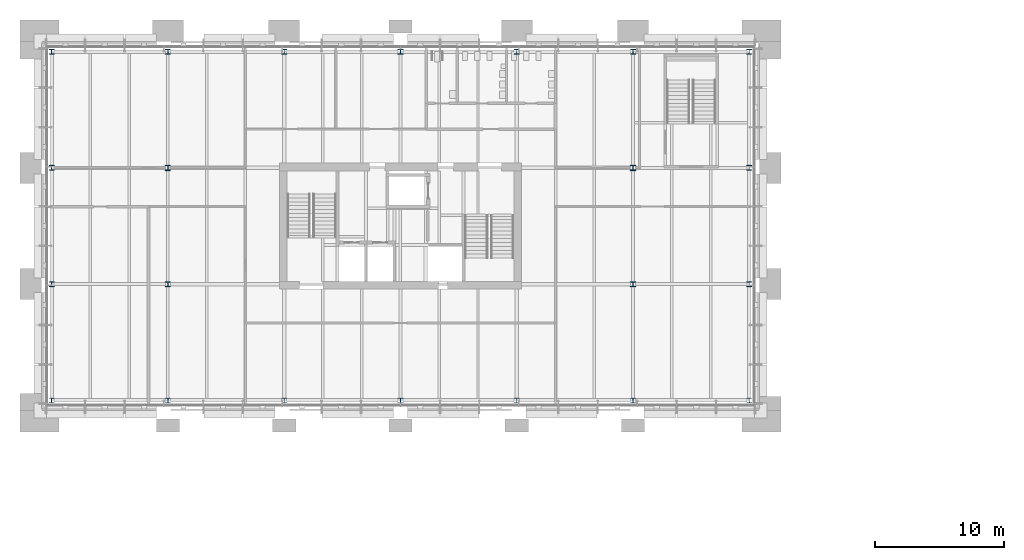
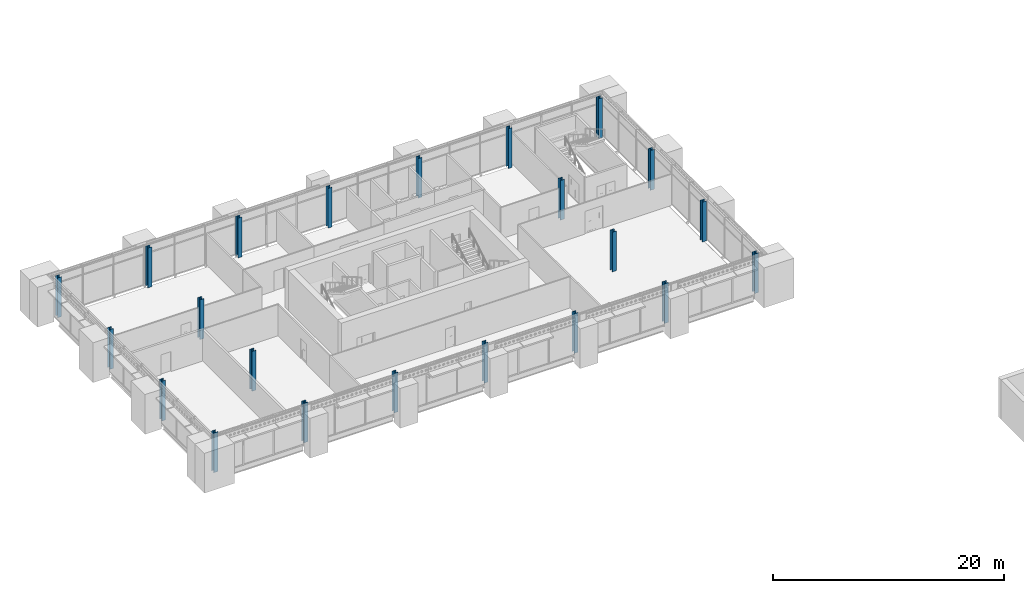
# One storey, part 2 of 54: 22 columns.
"""IFC4 building model written with IfcOpenShell, lengths in metres."""

from ifc_helpers import new_model, si_unit, direction, frame, origin, origin_2d, place, context, subcontext, project, spatial, i_section, extrude, material, material_profile, profile_set, type_object, element, save


model = new_model("IFC4")

# Units and contexts
model_context = context("Model", 3, precision=1e-05, world=origin(), true_north=direction((0.0, 1.0)))
body_context = subcontext(model_context, "Body", "Model", "MODEL_VIEW")
ifc_project = project(units=[si_unit("LENGTHUNIT", "METRE"), si_unit("AREAUNIT", "SQUARE_METRE"), si_unit("VOLUMEUNIT", "CUBIC_METRE"), si_unit("PLANEANGLEUNIT", "RADIAN"), si_unit("MASSUNIT", "GRAM", prefix="KILO")], contexts=[model_context])

# Site, building, storey
site_placement = place(None, origin())
site = spatial("IfcSite", under=ifc_project, at=site_placement, CompositionType="ELEMENT")
building_placement = place(site_placement, origin())
building = spatial("IfcBuilding", under=site, at=building_placement, Name="Baradari Gate Terminus", CompositionType="ELEMENT")
storey_placement = place(building_placement, frame((0.0, 0.0, 15.89990234375)))
storey = spatial("IfcBuildingStorey", under=building, at=storey_placement, Name="L03", CompositionType="ELEMENT", Elevation=15.89990234375)

# Columns
ifc_material_1 = material(Name="Steel S355", Category="steel")
ifc_material_profile_1 = material_profile(ifc_material_1, i_section(OverallWidth=0.403076171875, OverallDepth=0.406494140625, WebThickness=0.026611328125, FlangeThickness=0.04296875, FilletRadius=0.01513671875, at=origin_2d()), Name="UC 356x406x340")
ifc_profile_set_1 = profile_set([ifc_material_profile_1], Name="Steel S355")
column_type_1 = type_object("IfcColumnType", Name="Operations block column C19 UC 356x406x340", PredefinedType="COLUMN", material=ifc_profile_set_1)
for number, where, z_axis, x_axis, name in (
    (1, (18.0, 126.0, 0.0), (0.0, 0.0, 1.0), (1.0, 0.0, 0.0), "C19 column 3-Q L03"),
    (2, (18.0, 135.0, 0.0), (0.0, 0.0, 1.0), (1.0, 0.0, 0.0), "C19 column 3-R L03"),
    (3, (54.0, 126.0, 0.0), (0.0, 0.0, 1.0), (1.0, 0.0, 0.0), "C19 column 7-Q L03"),
    (4, (54.0, 135.0, 0.0), (0.0, 0.0, 1.0), (1.0, 0.0, 0.0), "C19 column 7-R L03"),
):
    element("IfcColumn", number, at=place(storey_placement, frame(where, z_axis=z_axis, x_axis=x_axis)), inside=storey, type_object=column_type_1, Name=name, PredefinedType="COLUMN", context=body_context, shape_type="SweptSolid", body=[
        extrude(i_section(OverallWidth=0.403076171875, OverallDepth=0.406494140625, WebThickness=0.026611328125, FlangeThickness=0.04296875, FilletRadius=0.01513671875, at=origin_2d()), origin(), (0.0, 0.0, 1.0), 4.2001953125),
    ])
ifc_material_2 = material(Name="Steel S355", Category="steel")
ifc_material_profile_2 = material_profile(ifc_material_2, i_section(OverallWidth=0.394775390625, OverallDepth=0.381103515625, WebThickness=0.018310546875, FlangeThickness=0.0302734375, FilletRadius=0.01513671875, at=origin_2d()), Name="UC 356x406x235")
ifc_profile_set_2 = profile_set([ifc_material_profile_2], Name="Steel S355")
column_type_2 = type_object("IfcColumnType", Name="Operations block perimeter column C18 UC 356x406x235", PredefinedType="COLUMN", material=ifc_profile_set_2)
for number, where, z_axis, x_axis, name in (
    (5, (9.0, 117.0, 0.0), (0.0, 0.0, 1.0), (1.0, 0.0, 0.0), "C18 column 2-P L03"),
    (6, (9.0, 126.0, 0.0), (0.0, 0.0, 1.0), (1.0, 0.0, 0.0), "C18 column 2-Q L03"),
    (7, (9.0, 135.0, 0.0), (0.0, 0.0, 1.0), (1.0, 0.0, 0.0), "C18 column 2-R L03"),
    (8, (9.0, 144.0, 0.0), (0.0, 0.0, 1.0), (1.0, 0.0, 0.0), "C18 column 2-S L03"),
    (9, (18.0, 117.0, 0.0), (0.0, 0.0, 1.0), (1.0, 0.0, 0.0), "C18 column 3-P L03"),
    (10, (18.0, 144.0, 0.0), (0.0, 0.0, 1.0), (1.0, 0.0, 0.0), "C18 column 3-S L03"),
    (11, (27.0, 117.0, 0.0), (0.0, 0.0, 1.0), (1.0, 0.0, 0.0), "C18 column 4-P L03"),
    (12, (27.0, 144.0, 0.0), (0.0, 0.0, 1.0), (1.0, 0.0, 0.0), "C18 column 4-S L03"),
    (13, (36.0, 117.0, 0.0), (0.0, 0.0, 1.0), (1.0, 0.0, 0.0), "C18 column 5-P L03"),
    (14, (36.0, 144.0, 0.0), (0.0, 0.0, 1.0), (1.0, 0.0, 0.0), "C18 column 5-S L03"),
    (15, (45.0, 117.0, 0.0), (0.0, 0.0, 1.0), (1.0, 0.0, 0.0), "C18 column 6-P L03"),
    (16, (45.0, 144.0, 0.0), (0.0, 0.0, 1.0), (1.0, 0.0, 0.0), "C18 column 6-S L03"),
    (17, (54.0, 117.0, 0.0), (0.0, 0.0, 1.0), (1.0, 0.0, 0.0), "C18 column 7-P L03"),
    (18, (54.0, 144.0, 0.0), (0.0, 0.0, 1.0), (1.0, 0.0, 0.0), "C18 column 7-S L03"),
    (19, (63.0, 117.0, 0.0), (0.0, 0.0, 1.0), (1.0, 0.0, 0.0), "C18 column 8-P L03"),
    (20, (63.0, 126.0, 0.0), (0.0, 0.0, 1.0), (1.0, 0.0, 0.0), "C18 column 8-Q L03"),
    (21, (63.0, 135.0, 0.0), (0.0, 0.0, 1.0), (1.0, 0.0, 0.0), "C18 column 8-R L03"),
    (22, (63.0, 144.0, 0.0), (0.0, 0.0, 1.0), (1.0, 0.0, 0.0), "C18 column 8-S L03"),
):
    element("IfcColumn", number, at=place(storey_placement, frame(where, z_axis=z_axis, x_axis=x_axis)), inside=storey, type_object=column_type_2, Name=name, PredefinedType="COLUMN", context=body_context, shape_type="SweptSolid", body=[
        extrude(i_section(OverallWidth=0.394775390625, OverallDepth=0.381103515625, WebThickness=0.018310546875, FlangeThickness=0.0302734375, FilletRadius=0.01513671875, at=origin_2d()), origin(), (0.0, 0.0, 1.0), 4.2001953125),
    ])

save(model, "model.ifc")
